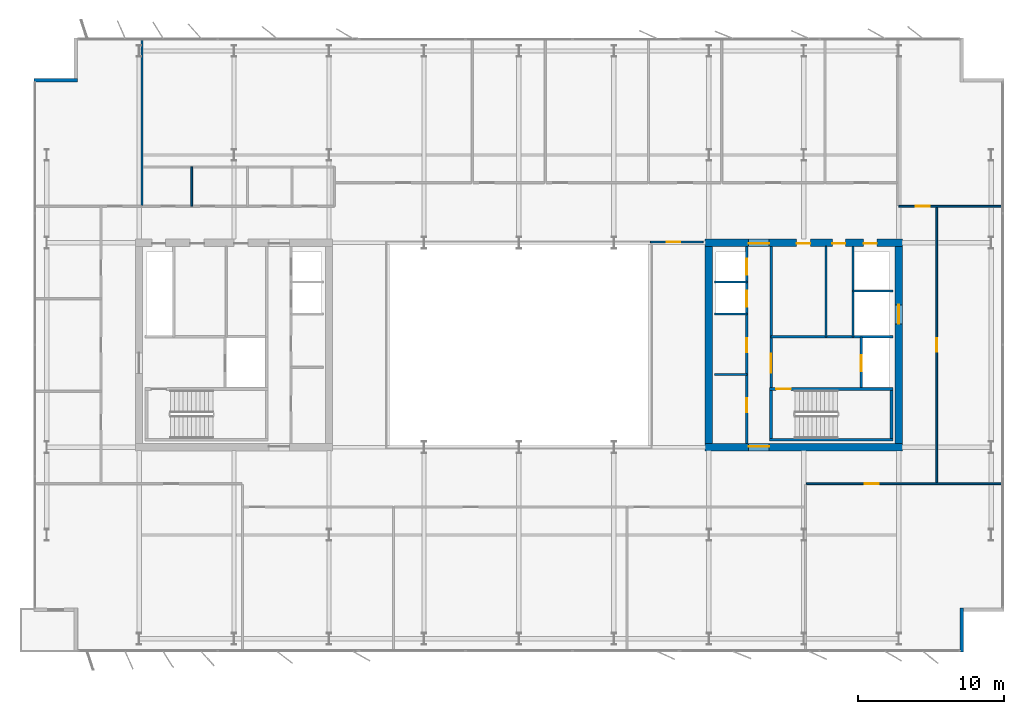
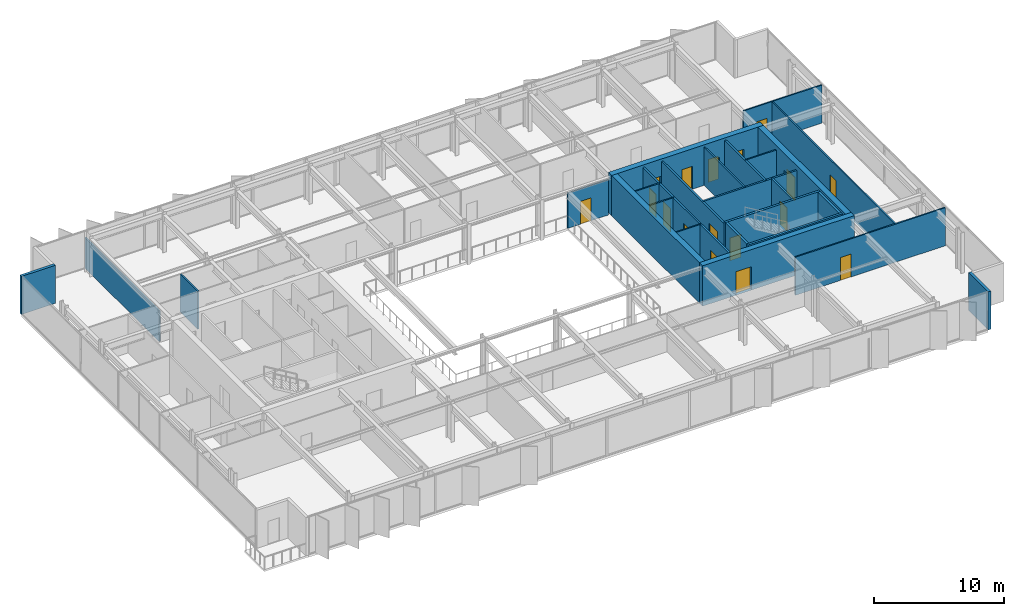
# One storey, part 18 of 23: 26 walls, 17 doors, 17 openings.
"""IFC4 building model written with IfcOpenShell, lengths in metres."""

from ifc_helpers import new_model, si_unit, direction, frame, frame_2d, origin, place, context, subcontext, project, spatial, rectangle, extrude, material, layer, layer_set, type_object, element, fill, save


model = new_model("IFC4")

# Units and contexts
model_context = context("Model", 3, precision=1e-05, world=origin(), true_north=direction((0.0, 1.0)))
body_context = subcontext(model_context, "Body", "Model", "MODEL_VIEW")
ifc_project = project(units=[si_unit("LENGTHUNIT", "METRE"), si_unit("AREAUNIT", "SQUARE_METRE"), si_unit("VOLUMEUNIT", "CUBIC_METRE"), si_unit("PLANEANGLEUNIT", "RADIAN"), si_unit("MASSUNIT", "GRAM", prefix="KILO")], contexts=[model_context])

# Site, building, storey
site_placement = place(None, origin())
site = spatial("IfcSite", under=ifc_project, at=site_placement, CompositionType="ELEMENT")
building_placement = place(site_placement, origin())
building = spatial("IfcBuilding", under=site, at=building_placement, Name="Putna Gate Headquarters", CompositionType="ELEMENT")
storey_placement = place(building_placement, frame((0.0, 0.0, 232.800048828125)))
storey = spatial("IfcBuildingStorey", under=building, at=storey_placement, Name="L58", CompositionType="ELEMENT", Elevation=232.800048828125)

# Wall, opening, door
ifc_material_1 = material(Name="Concrete C50/60", Category="concrete")
ifc_layer_1 = layer(ifc_material_1, 0.5)
ifc_layer_set_1 = layer_set([ifc_layer_1], Name="Concrete C50/60")
wall_type_1 = type_object("IfcWallType", Name="WALL-CORE-500", PredefinedType="SHEAR", material=ifc_layer_set_1)
wall_1_placement = place(storey_placement, frame((51.75, 19.0, 0.0), z_axis=(0.0, 0.0, 1.0), x_axis=(1.0, 0.0, 0.0)))
wall_1 = element("IfcWall", 1, at=wall_1_placement, inside=storey, type_object=wall_type_1, Name="L58 EC Split Core Shear Wall S", PredefinedType="SHEAR", context=body_context, shape_type="SweptSolid", body=[
    extrude(rectangle(XDim=13.5, YDim=0.5, at=frame_2d((6.75, 0.0))), origin(), (0.0, 0.0, 1.0), 3.800048828125),
])
opening_1_placement = place(wall_1_placement, frame((2.969970703125, 0.0, 0.0)))
opening_1 = element("IfcOpeningElement", 2, at=opening_1_placement, cuts=wall_1, Name="Opening FDD-140", PredefinedType="OPENING", context=body_context, shape_type="SweptSolid", body=[
    extrude(rectangle(XDim=1.39990234375, YDim=2.199951171875, at=frame_2d((0.699951171875, 1.10009765625))), frame((0.0, 0.260009765625, 0.0), z_axis=(0.0, -1.0, 0.0), x_axis=(1.0, 0.0, 0.0)), (0.0, 0.0, 1.0), 0.52001953125),
])
ifc_material_2 = material(Name="Double steel fire door", Category="steel")
door_type_1 = type_object("IfcDoorType", Name="DOOR-FIRE-DBL-1400", OperationType="DOUBLE_DOOR_SINGLE_SWING", PredefinedType="DOOR", material=ifc_material_2)
door_1_placement = place(opening_1_placement, origin())
door_1 = element("IfcDoor", 3, at=door_1_placement, inside=storey, type_object=door_type_1, Name="L58 East Lift Lobby South Door", OperationType="DOUBLE_DOOR_SINGLE_SWING", OverallHeight=2.199951171875, OverallWidth=1.39990234375, PredefinedType="DOOR", context=body_context, shape_type="SweptSolid", body=[
    extrude(rectangle(XDim=1.39990234375, YDim=2.199951171875, at=frame_2d((0.699951171875, 1.10009765625))), frame((0.0, 0.0751953125, 0.0), z_axis=(0.0, -1.0, 0.0), x_axis=(1.0, 0.0, 0.0)), (0.0, 0.0, 1.0), 0.050048828125),
])
fill(opening_1, door_1)

# Wall, openings, doors
wall_2_placement = place(storey_placement, frame((51.75, 33.0, 0.0), z_axis=(0.0, 0.0, 1.0), x_axis=(1.0, 0.0, 0.0)))
wall_2 = element("IfcWall", 4, at=wall_2_placement, inside=storey, type_object=wall_type_1, Name="L58 EC Split Core Shear Wall N", PredefinedType="SHEAR", context=body_context, shape_type="SweptSolid", body=[
    extrude(rectangle(XDim=13.5, YDim=0.5, at=frame_2d((6.75, 0.0))), origin(), (0.0, 0.0, 1.0), 3.800048828125),
])
opening_2_placement = place(wall_2_placement, frame((2.969970703125, 0.0, 0.0)))
opening_2 = element("IfcOpeningElement", 5, at=opening_2_placement, cuts=wall_2, Name="Opening FDD-140", PredefinedType="OPENING", context=body_context, shape_type="SweptSolid", body=[
    extrude(rectangle(XDim=1.39990234375, YDim=2.199951171875, at=frame_2d((0.699951171875, 1.10009765625))), frame((0.0, 0.260009765625, 0.0), z_axis=(0.0, -1.0, 0.0), x_axis=(1.0, 0.0, 0.0)), (0.0, 0.0, 1.0), 0.52001953125),
])
opening_3_placement = place(wall_2_placement, frame((10.85009765625, 0.0, 0.0)))
opening_3 = element("IfcOpeningElement", 6, at=opening_3_placement, cuts=wall_2, Name="Opening RD-90", PredefinedType="OPENING", context=body_context, shape_type="SweptSolid", body=[
    extrude(rectangle(XDim=0.89990234375, YDim=2.14990234375, at=frame_2d((0.449951171875, 1.074951171875))), frame((0.0, 0.260009765625, 0.0), z_axis=(0.0, -1.0, 0.0), x_axis=(1.0, 0.0, 0.0)), (0.0, 0.0, 1.0), 0.52001953125),
])
opening_4_placement = place(wall_2_placement, frame((6.25, 0.0, 0.0)))
opening_4 = element("IfcOpeningElement", 7, at=opening_4_placement, cuts=wall_2, Name="Opening IDS-95", PredefinedType="OPENING", context=body_context, shape_type="SweptSolid", body=[
    extrude(rectangle(XDim=0.949951171875, YDim=2.14990234375, at=frame_2d((0.47509765625, 1.074951171875))), frame((0.0, 0.260009765625, 0.0), z_axis=(0.0, -1.0, 0.0), x_axis=(1.0, 0.0, 0.0)), (0.0, 0.0, 1.0), 0.52001953125),
])
opening_5_placement = place(wall_2_placement, frame((8.699951171875, 0.0, 0.0)))
opening_5 = element("IfcOpeningElement", 8, at=opening_5_placement, cuts=wall_2, Name="Opening IDS-90", PredefinedType="OPENING", context=body_context, shape_type="SweptSolid", body=[
    extrude(rectangle(XDim=0.89990234375, YDim=2.14990234375, at=frame_2d((0.449951171875, 1.074951171875))), frame((0.0, 0.260009765625, 0.0), z_axis=(0.0, -1.0, 0.0), x_axis=(1.0, 0.0, 0.0)), (0.0, 0.0, 1.0), 0.52001953125),
])
door_2_placement = place(opening_2_placement, origin())
door_2 = element("IfcDoor", 9, at=door_2_placement, inside=storey, type_object=door_type_1, Name="L58 East Lift Lobby North Door", OperationType="DOUBLE_DOOR_SINGLE_SWING", OverallHeight=2.199951171875, OverallWidth=1.39990234375, PredefinedType="DOOR", context=body_context, shape_type="SweptSolid", body=[
    extrude(rectangle(XDim=1.39990234375, YDim=2.199951171875, at=frame_2d((0.699951171875, 1.10009765625))), frame((0.0, -0.02490234375, 0.0), z_axis=(0.0, -1.0, 0.0), x_axis=(1.0, 0.0, 0.0)), (0.0, 0.0, 1.0), 0.050048828125),
])
fill(opening_2, door_2)
ifc_material_3 = material(Name="Fire-rated utility door")
door_type_2 = type_object("IfcDoorType", Name="DOOR-INT-900", OperationType="NOTDEFINED", PredefinedType="DOOR", material=ifc_material_3)
door_3_placement = place(opening_5_placement, origin())
door_3 = element("IfcDoor", 10, at=door_3_placement, inside=storey, type_object=door_type_2, Name="L58 Electrical Plant Door", OperationType="SINGLE_SWING_LEFT", OverallHeight=2.14990234375, OverallWidth=0.89990234375, PredefinedType="DOOR", context=body_context, shape_type="SweptSolid", body=[
    extrude(rectangle(XDim=0.89990234375, YDim=2.14990234375, at=frame_2d((0.449951171875, 1.074951171875))), frame((0.0, -0.02490234375, 0.0), z_axis=(0.0, -1.0, 0.0), x_axis=(1.0, 0.0, 0.0)), (0.0, 0.0, 1.0), 0.050048828125),
])
fill(opening_5, door_3)
ifc_material_4 = material(Name="Fire-rated service timber door", Category="wood")
door_type_3 = type_object("IfcDoorType", Name="DOOR-INT-950", OperationType="NOTDEFINED", PredefinedType="DOOR", material=ifc_material_4)
door_4_placement = place(opening_4_placement, origin())
door_4 = element("IfcDoor", 11, at=door_4_placement, inside=storey, type_object=door_type_3, Name="L58 East Store Door", OperationType="SINGLE_SWING_RIGHT", OverallHeight=2.14990234375, OverallWidth=0.949951171875, PredefinedType="DOOR", context=body_context, shape_type="SweptSolid", body=[
    extrude(rectangle(XDim=0.949951171875, YDim=2.14990234375, at=frame_2d((0.47509765625, 1.074951171875))), frame((0.0, -0.02490234375, 0.0), z_axis=(0.0, -1.0, 0.0), x_axis=(1.0, 0.0, 0.0)), (0.0, 0.0, 1.0), 0.050048828125),
])
fill(opening_4, door_4)
ifc_material_5 = material(Name="Steel riser access fire door", Category="steel")
door_type_4 = type_object("IfcDoorType", Name="DOOR-RISER-900", OperationType="NOTDEFINED", PredefinedType="DOOR", material=ifc_material_5)
door_5_placement = place(opening_3_placement, origin())
door_5 = element("IfcDoor", 12, at=door_5_placement, inside=storey, type_object=door_type_4, Name="L58 East Riser Access Door", OperationType="SINGLE_SWING_LEFT", OverallHeight=2.14990234375, OverallWidth=0.89990234375, PredefinedType="DOOR", context=body_context, shape_type="SweptSolid", body=[
    extrude(rectangle(XDim=0.89990234375, YDim=2.14990234375, at=frame_2d((0.449951171875, 1.074951171875))), frame((0.0, -0.02490234375, 0.0), z_axis=(0.0, -1.0, 0.0), x_axis=(1.0, 0.0, 0.0)), (0.0, 0.0, 1.0), 0.050048828125),
])
fill(opening_3, door_5)

# Wall
wall_3_placement = place(storey_placement, frame((52.0, 19.25, 0.0), z_axis=(0.0, 0.0, 1.0), x_axis=(0.0, 1.0, 0.0)))
element("IfcWall", 13, at=wall_3_placement, inside=storey, type_object=wall_type_1, Name="L58 EC Split Core Shear Wall W", PredefinedType="SHEAR", context=body_context, shape_type="SweptSolid", body=[
    extrude(rectangle(XDim=13.5, YDim=0.5, at=frame_2d((6.75, 0.0))), origin(), (0.0, 0.0, 1.0), 3.800048828125),
])

# Wall, opening, door
wall_4_placement = place(storey_placement, frame((65.0, 19.25, 0.0), z_axis=(0.0, 0.0, 1.0), x_axis=(0.0, 1.0, 0.0)))
wall_4 = element("IfcWall", 14, at=wall_4_placement, inside=storey, type_object=wall_type_1, Name="L58 EC Split Core Shear Wall E", PredefinedType="SHEAR", context=body_context, shape_type="SweptSolid", body=[
    extrude(rectangle(XDim=13.5, YDim=0.5, at=frame_2d((6.75, 0.0))), origin(), (0.0, 0.0, 1.0), 3.800048828125),
])
opening_6_placement = place(wall_4_placement, frame((8.199951171875, 0.0, 0.0)))
opening_6 = element("IfcOpeningElement", 15, at=opening_6_placement, cuts=wall_4, Name="Opening LD-2", PredefinedType="OPENING", context=body_context, shape_type="SweptSolid", body=[
    extrude(rectangle(XDim=1.300048828125, YDim=2.199951171875, at=frame_2d((0.64990234375, 1.10009765625))), frame((0.0, 0.260009765625, 0.0), z_axis=(0.0, -1.0, 0.0), x_axis=(1.0, 0.0, 0.0)), (0.0, 0.0, 1.0), 0.52001953125),
])
ifc_material_6 = material(Name="Heavy-duty goods lift sliding landing door")
door_type_5 = type_object("IfcDoorType", Name="DOOR-LIFT-1300", OperationType="DOUBLE_DOOR_SLIDING", PredefinedType="DOOR", material=ifc_material_6)
door_6_placement = place(opening_6_placement, origin())
door_6 = element("IfcDoor", 16, at=door_6_placement, inside=storey, type_object=door_type_5, Name="L58 Goods Lift Landing Door LD-15", OperationType="DOUBLE_DOOR_SLIDING", OverallHeight=2.199951171875, OverallWidth=1.300048828125, PredefinedType="DOOR", context=body_context, shape_type="SweptSolid", body=[
    extrude(rectangle(XDim=1.300048828125, YDim=2.199951171875, at=frame_2d((0.64990234375, 1.10009765625))), frame((0.0, 0.02490234375, 0.0), z_axis=(0.0, -1.0, 0.0), x_axis=(1.0, 0.0, 0.0)), (0.0, 0.0, 1.0), 0.050048828125),
])
fill(opening_6, door_6)

# Walls
ifc_material_7 = material(Name="Precast concrete C40/50", Category="concrete")
ifc_layer_2 = layer(ifc_material_7, 0.239990234375)
ifc_layer_set_2 = layer_set([ifc_layer_2], Name="Precast concrete C40/50")
wall_type_2 = type_object("IfcWallType", Name="WALL-EXT-TERR-240", PredefinedType="STANDARD", material=ifc_layer_set_2)
for number, where, z_axis, x_axis, name in (
    (17, (5.800048828125, 44.1201171875, 0.0), (0.0, 0.0, 1.0), (1.0, 0.0, 0.0), "L58 Corner Notch Return Wall NW-H"),
    (18, (69.320068359375, 8.0, 0.0), (0.0, 0.0, 1.0), (0.0, -1.0, 0.0), "L58 Corner Notch Return Wall SE-V"),
):
    element("IfcWall", number, at=place(storey_placement, frame(where, z_axis=z_axis, x_axis=x_axis)), inside=storey, type_object=wall_type_2, Name=name, PredefinedType="STANDARD", context=body_context, shape_type="SweptSolid", body=[
        extrude(rectangle(XDim=3.0, YDim=0.239990234375, at=frame_2d((1.5, 0.0))), origin(), (0.0, 0.0, 1.0), 3.579833984375),
    ])

# Wall, opening, door
ifc_material_8 = material(Name="Acoustic gypsum board on metal stud")
ifc_layer_3 = layer(ifc_material_8, 0.1201171875)
ifc_layer_set_3 = layer_set([ifc_layer_3], Name="Acoustic gypsum board on metal stud")
wall_type_3 = type_object("IfcWallType", Name="WALL-PART-120", PredefinedType="PARTITIONING", material=ifc_layer_set_3)
wall_5_placement = place(storey_placement, frame((48.0, 33.0400390625, 0.0), z_axis=(0.0, 0.0, 1.0), x_axis=(1.0, 0.0, 0.0)))
wall_5 = element("IfcWall", 19, at=wall_5_placement, inside=storey, type_object=wall_type_3, Name="L58 Interior Wall PART-L58-ATR-E-N", PredefinedType="PARTITIONING", context=body_context, shape_type="SweptSolid", body=[
    extrude(rectangle(XDim=3.60009765625, YDim=0.1201171875, at=frame_2d((1.800048828125, 0.0))), origin(), (0.0, 0.0, 1.0), 3.320068359375),
])
opening_7_placement = place(wall_5_placement, frame((1.10009765625, 0.0, 0.0)))
opening_7 = element("IfcOpeningElement", 20, at=opening_7_placement, cuts=wall_5, Name="Opening ID-95", PredefinedType="OPENING", context=body_context, shape_type="SweptSolid", body=[
    extrude(rectangle(XDim=0.949951171875, YDim=2.14990234375, at=frame_2d((0.47509765625, 1.074951171875))), frame((0.0, 0.070068359375, 0.0), z_axis=(0.0, -1.0, 0.0), x_axis=(1.0, 0.0, 0.0)), (0.0, 0.0, 1.0), 0.14013671875),
])
ifc_material_9 = material(Name="Veneered acoustic timber door", Category="wood")
door_type_6 = type_object("IfcDoorType", Name="DOOR-OFF-950", OperationType="NOTDEFINED", PredefinedType="DOOR", material=ifc_material_9)
door_7_placement = place(opening_7_placement, origin())
door_7 = element("IfcDoor", 21, at=door_7_placement, inside=storey, type_object=door_type_6, Name="L58 East Sky Atrium Lounge Door", OperationType="SINGLE_SWING_LEFT", OverallHeight=2.14990234375, OverallWidth=0.949951171875, PredefinedType="DOOR", context=body_context, shape_type="SweptSolid", body=[
    extrude(rectangle(XDim=0.949951171875, YDim=2.14990234375, at=frame_2d((0.47509765625, 1.074951171875))), frame((0.0, 0.02490234375, 0.0), z_axis=(0.0, -1.0, 0.0), x_axis=(1.0, 0.0, 0.0)), (0.0, 0.0, 1.0), 0.050048828125),
])
fill(opening_7, door_7)

# Walls
wall_6_placement = place(storey_placement, frame((13.199951171875, 35.56005859375, 0.0), z_axis=(0.0, 0.0, 1.0), x_axis=(0.0, 1.0, 0.0)))
element("IfcWall", 22, at=wall_6_placement, inside=storey, type_object=wall_type_3, Name="L58 Interior Wall PART-L58-NB-DIV-01", PredefinedType="PARTITIONING", context=body_context, shape_type="SweptSolid", body=[
    extrude(rectangle(XDim=11.419921875, YDim=0.1201171875, at=frame_2d((5.7099609375, 0.0))), origin(), (0.0, 0.0, 1.0), 2.8798828125),
])
ifc_material_10 = material(Name="Fire-rated shaftwall gypsum board on metal stud")
ifc_layer_4 = layer(ifc_material_10, 0.1201171875)
ifc_layer_set_4 = layer_set([ifc_layer_4], Name="Fire-rated shaftwall gypsum board on metal stud")
wall_type_4 = type_object("IfcWallType", Name="WALL-PART-120-EI120", PredefinedType="PARTITIONING", material=ifc_layer_set_4)
wall_7_placement = place(storey_placement, frame((52.39990234375, 30.31005859375, 0.0), z_axis=(0.0, 0.0, 1.0), x_axis=(1.0, 0.0, 0.0)))
element("IfcWall", 23, at=wall_7_placement, inside=storey, type_object=wall_type_4, Name="L58 Interior Wall CWINT-L58-EC-LF11-DIV", PredefinedType="PARTITIONING", context=body_context, shape_type="SweptSolid", body=[
    extrude(rectangle(XDim=2.2001953125, YDim=0.1201171875, at=frame_2d((1.10009765625, 0.0))), origin(), (0.0, 0.0, 1.0), 3.579833984375),
])
wall_8_placement = place(storey_placement, frame((61.8701171875, 29.699951171875, 0.0), z_axis=(0.0, 0.0, 1.0), x_axis=(1.0, 0.0, 0.0)))
element("IfcWall", 24, at=wall_8_placement, inside=storey, type_object=wall_type_4, Name="L58 Interior Wall CWINT-L58-EC-LF15-N", PredefinedType="PARTITIONING", context=body_context, shape_type="SweptSolid", body=[
    extrude(rectangle(XDim=2.72998046875, YDim=0.1201171875, at=frame_2d((1.364990234375, 0.0))), origin(), (0.0, 0.0, 1.0), 3.579833984375),
])
ifc_material_11 = material(Name="Fire-rated gypsum board on metal stud")
ifc_layer_5 = layer(ifc_material_11, 0.1201171875)
ifc_layer_set_5 = layer_set([ifc_layer_5], Name="Fire-rated gypsum board on metal stud")
wall_type_5 = type_object("IfcWallType", Name="WALL-PART-120-RATED", PredefinedType="PARTITIONING", material=ifc_layer_set_5)
for number, where, z_axis, x_axis, name in (
    (25, (52.39990234375, 23.969970703125, 0.0), (0.0, 0.0, 1.0), (1.0, 0.0, 0.0), "L58 Interior Wall CWINT-L58-EC-REUSE-DIV"),
    (26, (52.39990234375, 28.1201171875, 0.0), (0.0, 0.0, 1.0), (1.0, 0.0, 0.0), "L58 Interior Wall CWINT-L58-EC-LF08-DIV"),
):
    element("IfcWall", number, at=place(storey_placement, frame(where, z_axis=z_axis, x_axis=x_axis)), inside=storey, type_object=wall_type_5, Name=name, PredefinedType="PARTITIONING", context=body_context, shape_type="SweptSolid", body=[
        extrude(rectangle(XDim=2.2001953125, YDim=0.1201171875, at=frame_2d((1.10009765625, 0.0))), origin(), (0.0, 0.0, 1.0), 3.579833984375),
    ])
wall_9_placement = place(storey_placement, frame((60.02001953125, 26.56005859375, 0.0), z_axis=(0.0, 0.0, 1.0), x_axis=(0.0, 1.0, 0.0)))
element("IfcWall", 27, at=wall_9_placement, inside=storey, type_object=wall_type_5, Name="L58 Interior Wall CWINT-L58-EC-K0-DIV", PredefinedType="PARTITIONING", context=body_context, shape_type="SweptSolid", body=[
    extrude(rectangle(XDim=6.18994140625, YDim=0.1201171875, at=frame_2d((3.094970703125, 0.0))), origin(), (0.0, 0.0, 1.0), 3.579833984375),
])
wall_10_placement = place(storey_placement, frame((16.60009765625, 35.5, 0.0), z_axis=(0.0, 0.0, 1.0), x_axis=(0.0, 1.0, 0.0)))
element("IfcWall", 28, at=wall_10_placement, inside=storey, type_object=wall_type_5, Name="L58 Interior Wall PART-L58-SAN-DIV-1", PredefinedType="PARTITIONING", context=body_context, shape_type="SweptSolid", body=[
    extrude(rectangle(XDim=2.679931640625, YDim=0.1201171875, at=frame_2d((1.33984375, 0.0))), origin(), (0.0, 0.0, 1.0), 3.579833984375),
])

# Wall, opening, door
wall_11_placement = place(storey_placement, frame((65.0126953125, 35.5, 0.0), z_axis=(0.0, 0.0, 1.0), x_axis=(1.0, 0.0, 0.0)))
wall_11 = element("IfcWall", 29, at=wall_11_placement, inside=storey, type_object=wall_type_5, Name="L58 Interior Wall PART-L58-NB-CW-08", PredefinedType="PARTITIONING", context=body_context, shape_type="SweptSolid", body=[
    extrude(rectangle(XDim=7.00732421875, YDim=0.1201171875, at=frame_2d((3.503662109375, 0.0))), origin(), (0.0, 0.0, 1.0), 3.579833984375),
])
opening_8_placement = place(wall_11_placement, frame((1.1572265625, 0.0, 0.0)))
opening_8 = element("IfcOpeningElement", 30, at=opening_8_placement, cuts=wall_11, Name="Opening FD-95", PredefinedType="OPENING", context=body_context, shape_type="SweptSolid", body=[
    extrude(rectangle(XDim=0.949951171875, YDim=2.14990234375, at=frame_2d((0.47509765625, 1.074951171875))), frame((0.0, 0.070068359375, 0.0), z_axis=(0.0, -1.0, 0.0), x_axis=(1.0, 0.0, 0.0)), (0.0, 0.0, 1.0), 0.14013671875),
])
ifc_material_12 = material(Name="Acoustic timber fire door", Category="wood")
door_type_7 = type_object("IfcDoorType", Name="DOOR-FIRE-950", OperationType="NOTDEFINED", PredefinedType="DOOR", material=ifc_material_12)
door_8_placement = place(opening_8_placement, origin())
door_8 = element("IfcDoor", 31, at=door_8_placement, inside=storey, type_object=door_type_7, Name="L58 Cellular Office 5 Door", OperationType="SINGLE_SWING_LEFT", OverallHeight=2.14990234375, OverallWidth=0.949951171875, PredefinedType="DOOR", context=body_context, shape_type="SweptSolid", body=[
    extrude(rectangle(XDim=0.949951171875, YDim=2.14990234375, at=frame_2d((0.47509765625, 1.074951171875))), frame((0.0, 0.02490234375, 0.0), z_axis=(0.0, -1.0, 0.0), x_axis=(1.0, 0.0, 0.0)), (0.0, 0.0, 1.0), 0.050048828125),
])
fill(opening_8, door_8)

wall_12_placement = place(storey_placement, frame((58.673828125, 16.5, 0.0), z_axis=(0.0, 0.0, 1.0), x_axis=(1.0, 0.0, 0.0)))
wall_12 = element("IfcWall", 32, at=wall_12_placement, inside=storey, type_object=wall_type_5, Name="L58 Interior Wall PART-L58-SB-CW-05", PredefinedType="PARTITIONING", context=body_context, shape_type="SweptSolid", body=[
    extrude(rectangle(XDim=13.34619140625, YDim=0.1201171875, at=frame_2d((6.673095703125, 0.0))), origin(), (0.0, 0.0, 1.0), 3.579833984375),
])
opening_9_placement = place(wall_12_placement, frame((3.988037109375, 0.0, 0.0)))
opening_9 = element("IfcOpeningElement", 33, at=opening_9_placement, cuts=wall_12, Name="Opening FD-95", PredefinedType="OPENING", context=body_context, shape_type="SweptSolid", body=[
    extrude(rectangle(XDim=0.949951171875, YDim=2.14990234375, at=frame_2d((0.47509765625, 1.074951171875))), frame((0.0, 0.070068359375, 0.0), z_axis=(0.0, -1.0, 0.0), x_axis=(1.0, 0.0, 0.0)), (0.0, 0.0, 1.0), 0.14013671875),
])
door_9_placement = place(opening_9_placement, origin())
door_9 = element("IfcDoor", 34, at=door_9_placement, inside=storey, type_object=door_type_7, Name="L58 Conference Meeting Room 2 Door", OperationType="SINGLE_SWING_RIGHT", OverallHeight=2.14990234375, OverallWidth=0.949951171875, PredefinedType="DOOR", context=body_context, shape_type="SweptSolid", body=[
    extrude(rectangle(XDim=0.949951171875, YDim=2.14990234375, at=frame_2d((0.47509765625, 1.074951171875))), frame((0.0, 0.02490234375, 0.0), z_axis=(0.0, -1.0, 0.0), x_axis=(1.0, 0.0, 0.0)), (0.0, 0.0, 1.0), 0.050048828125),
])
fill(opening_9, door_9)

wall_13_placement = place(storey_placement, frame((67.60009765625, 16.5, 0.0), z_axis=(0.0, 0.0, 1.0), x_axis=(0.0, 1.0, 0.0)))
wall_13 = element("IfcWall", 35, at=wall_13_placement, inside=storey, type_object=wall_type_5, Name="L58 Interior Wall PART-L58-EW-CW-1", PredefinedType="PARTITIONING", context=body_context, shape_type="SweptSolid", body=[
    extrude(rectangle(XDim=19.0, YDim=0.1201171875, at=frame_2d((9.5, 0.0))), origin(), (0.0, 0.0, 1.0), 3.579833984375),
])
opening_10_placement = place(wall_13_placement, frame((9.02490234375, 0.0, 0.0)))
opening_10 = element("IfcOpeningElement", 36, at=opening_10_placement, cuts=wall_13, Name="Opening FD-95", PredefinedType="OPENING", context=body_context, shape_type="SweptSolid", body=[
    extrude(rectangle(XDim=0.949951171875, YDim=2.14990234375, at=frame_2d((0.47509765625, 1.074951171875))), frame((0.0, 0.070068359375, 0.0), z_axis=(0.0, -1.0, 0.0), x_axis=(1.0, 0.0, 0.0)), (0.0, 0.0, 1.0), 0.14013671875),
])
door_10_placement = place(opening_10_placement, origin())
door_10 = element("IfcDoor", 37, at=door_10_placement, inside=storey, type_object=door_type_7, Name="L58 East Advisory Office 1 Door", OperationType="SINGLE_SWING_RIGHT", OverallHeight=2.14990234375, OverallWidth=0.949951171875, PredefinedType="DOOR", context=body_context, shape_type="SweptSolid", body=[
    extrude(rectangle(XDim=0.949951171875, YDim=2.14990234375, at=frame_2d((0.47509765625, 1.074951171875))), frame((0.0, 0.02490234375, 0.0), z_axis=(0.0, -1.0, 0.0), x_axis=(1.0, 0.0, 0.0)), (0.0, 0.0, 1.0), 0.050048828125),
])
fill(opening_10, door_10)

# Wall, openings, doors
ifc_material_13 = material(Name="Concrete C40/50", Category="concrete")
ifc_layer_6 = layer(ifc_material_13, 0.159912109375)
ifc_layer_set_6 = layer_set([ifc_layer_6], Name="Concrete C40/50")
wall_type_6 = type_object("IfcWallType", Name="WALL-SHAFT-160", PredefinedType="STANDARD", material=ifc_layer_set_6)
wall_14_placement = place(storey_placement, frame((54.60009765625, 19.25, 0.0), z_axis=(0.0, 0.0, 1.0), x_axis=(0.0, 1.0, 0.0)))
wall_14 = element("IfcWall", 38, at=wall_14_placement, inside=storey, type_object=wall_type_6, Name="L58 Interior Wall CWINT-L58-EC-PL-WALL", PredefinedType="STANDARD", context=body_context, shape_type="SweptSolid", body=[
    extrude(rectangle(XDim=13.5, YDim=0.159912109375, at=frame_2d((6.75, 0.0))), origin(), (0.0, 0.0, 1.0), 3.579833984375),
])
opening_11_placement = place(wall_14_placement, frame((2.14990234375, 0.0, 0.0)))
opening_11 = element("IfcOpeningElement", 39, at=opening_11_placement, cuts=wall_14, Name="Opening IDS-95", PredefinedType="OPENING", context=body_context, shape_type="SweptSolid", body=[
    extrude(rectangle(XDim=0.949951171875, YDim=2.14990234375, at=frame_2d((0.47509765625, 1.074951171875))), frame((0.0, 0.08984375, 0.0), z_axis=(0.0, -1.0, 0.0), x_axis=(1.0, 0.0, 0.0)), (0.0, 0.0, 1.0), 0.179931640625),
])
opening_12_placement = place(wall_14_placement, frame((6.25, 0.0, 0.0)))
opening_12 = element("IfcOpeningElement", 40, at=opening_12_placement, cuts=wall_14, Name="Opening IDS-95", PredefinedType="OPENING", context=body_context, shape_type="SweptSolid", body=[
    extrude(rectangle(XDim=0.949951171875, YDim=2.14990234375, at=frame_2d((0.47509765625, 1.074951171875))), frame((0.0, 0.08984375, 0.0), z_axis=(0.0, -1.0, 0.0), x_axis=(1.0, 0.0, 0.0)), (0.0, 0.0, 1.0), 0.179931640625),
])
opening_13_placement = place(wall_14_placement, frame((9.35009765625, 0.0, 0.0)))
opening_13 = element("IfcOpeningElement", 41, at=opening_13_placement, cuts=wall_14, Name="Opening LD-1", PredefinedType="OPENING", context=body_context, shape_type="SweptSolid", body=[
    extrude(rectangle(XDim=1.10009765625, YDim=2.199951171875, at=frame_2d((0.550048828125, 1.10009765625))), frame((0.0, 0.08984375, 0.0), z_axis=(0.0, -1.0, 0.0), x_axis=(1.0, 0.0, 0.0)), (0.0, 0.0, 1.0), 0.179931640625),
])
opening_14_placement = place(wall_14_placement, frame((11.550048828125, 0.0, 0.0)))
opening_14 = element("IfcOpeningElement", 42, at=opening_14_placement, cuts=wall_14, Name="Opening LD-1", PredefinedType="OPENING", context=body_context, shape_type="SweptSolid", body=[
    extrude(rectangle(XDim=1.10009765625, YDim=2.199951171875, at=frame_2d((0.550048828125, 1.10009765625))), frame((0.0, 0.08984375, 0.0), z_axis=(0.0, -1.0, 0.0), x_axis=(1.0, 0.0, 0.0)), (0.0, 0.0, 1.0), 0.179931640625),
])
door_11_placement = place(opening_11_placement, origin())
door_11 = element("IfcDoor", 43, at=door_11_placement, inside=storey, type_object=door_type_3, Name="L58 Executive Archive Door", OperationType="SINGLE_SWING_RIGHT", OverallHeight=2.14990234375, OverallWidth=0.949951171875, PredefinedType="DOOR", context=body_context, shape_type="SweptSolid", body=[
    extrude(rectangle(XDim=0.949951171875, YDim=2.14990234375, at=frame_2d((0.47509765625, 1.074951171875))), frame((0.0, 0.02490234375, 0.0), z_axis=(0.0, -1.0, 0.0), x_axis=(1.0, 0.0, 0.0)), (0.0, 0.0, 1.0), 0.050048828125),
])
fill(opening_11, door_11)
door_12_placement = place(opening_12_placement, origin())
door_12 = element("IfcDoor", 44, at=door_12_placement, inside=storey, type_object=door_type_3, Name="L58 Comms Distribution Door", OperationType="SINGLE_SWING_LEFT", OverallHeight=2.14990234375, OverallWidth=0.949951171875, PredefinedType="DOOR", context=body_context, shape_type="SweptSolid", body=[
    extrude(rectangle(XDim=0.949951171875, YDim=2.14990234375, at=frame_2d((0.47509765625, 1.074951171875))), frame((0.0, 0.02490234375, 0.0), z_axis=(0.0, -1.0, 0.0), x_axis=(1.0, 0.0, 0.0)), (0.0, 0.0, 1.0), 0.050048828125),
])
fill(opening_12, door_12)
ifc_material_14 = material(Name="Brushed bronze stainless lift landing door")
door_type_8 = type_object("IfcDoorType", Name="DOOR-LIFT-1100", OperationType="DOUBLE_DOOR_SLIDING", PredefinedType="DOOR", material=ifc_material_14)
door_13_placement = place(opening_13_placement, origin())
door_13 = element("IfcDoor", 45, at=door_13_placement, inside=storey, type_object=door_type_8, Name="L58 Lift Landing Door LD-11", OperationType="DOUBLE_DOOR_SLIDING", OverallHeight=2.199951171875, OverallWidth=1.10009765625, PredefinedType="DOOR", context=body_context, shape_type="SweptSolid", body=[
    extrude(rectangle(XDim=1.10009765625, YDim=2.199951171875, at=frame_2d((0.550048828125, 1.10009765625))), frame((0.0, 0.02490234375, 0.0), z_axis=(0.0, -1.0, 0.0), x_axis=(1.0, 0.0, 0.0)), (0.0, 0.0, 1.0), 0.050048828125),
])
fill(opening_13, door_13)
door_14_placement = place(opening_14_placement, origin())
door_14 = element("IfcDoor", 46, at=door_14_placement, inside=storey, type_object=door_type_8, Name="L58 Lift Landing Door LD-12", OperationType="DOUBLE_DOOR_SLIDING", OverallHeight=2.199951171875, OverallWidth=1.10009765625, PredefinedType="DOOR", context=body_context, shape_type="SweptSolid", body=[
    extrude(rectangle(XDim=1.10009765625, YDim=2.199951171875, at=frame_2d((0.550048828125, 1.10009765625))), frame((0.0, 0.02490234375, 0.0), z_axis=(0.0, -1.0, 0.0), x_axis=(1.0, 0.0, 0.0)), (0.0, 0.0, 1.0), 0.050048828125),
])
fill(opening_14, door_14)

# Wall, opening, door
wall_15_placement = place(storey_placement, frame((56.260009765625, 23.090087890625, 0.0), z_axis=(0.0, 0.0, 1.0), x_axis=(0.0, 1.0, 0.0)))
wall_15 = element("IfcWall", 47, at=wall_15_placement, inside=storey, type_object=wall_type_6, Name="L58 Interior Wall CWINT-L58-EC-LOB-E", PredefinedType="STANDARD", context=body_context, shape_type="SweptSolid", body=[
    extrude(rectangle(XDim=9.659912109375, YDim=0.159912109375, at=frame_2d((4.830078125, 0.0))), origin(), (0.0, 0.0, 1.0), 3.579833984375),
])
opening_15_placement = place(wall_15_placement, frame((1.010009765625, 0.0, 0.0)))
opening_15 = element("IfcOpeningElement", 48, at=opening_15_placement, cuts=wall_15, Name="Opening FDD-130", PredefinedType="OPENING", context=body_context, shape_type="SweptSolid", body=[
    extrude(rectangle(XDim=1.300048828125, YDim=2.199951171875, at=frame_2d((0.64990234375, 1.10009765625))), frame((0.0, 0.08984375, 0.0), z_axis=(0.0, -1.0, 0.0), x_axis=(1.0, 0.0, 0.0)), (0.0, 0.0, 1.0), 0.179931640625),
])
ifc_material_15 = material(Name="Double steel lobby fire door", Category="steel")
door_type_9 = type_object("IfcDoorType", Name="DOOR-FIRE-DBL-1300", OperationType="DOUBLE_DOOR_SINGLE_SWING", PredefinedType="DOOR", material=ifc_material_15)
door_15_placement = place(opening_15_placement, origin())
door_15 = element("IfcDoor", 49, at=door_15_placement, inside=storey, type_object=door_type_9, Name="L58 East Firefighting Lobby Door", OperationType="DOUBLE_DOOR_SINGLE_SWING", OverallHeight=2.199951171875, OverallWidth=1.300048828125, PredefinedType="DOOR", context=body_context, shape_type="SweptSolid", body=[
    extrude(rectangle(XDim=1.300048828125, YDim=2.199951171875, at=frame_2d((0.64990234375, 1.10009765625))), frame((0.0, 0.02490234375, 0.0), z_axis=(0.0, -1.0, 0.0), x_axis=(1.0, 0.0, 0.0)), (0.0, 0.0, 1.0), 0.050048828125),
])
fill(opening_15, door_15)

wall_16_placement = place(storey_placement, frame((62.429931640625, 23.090087890625, 0.0), z_axis=(0.0, 0.0, 1.0), x_axis=(0.0, 1.0, 0.0)))
wall_16 = element("IfcWall", 50, at=wall_16_placement, inside=storey, type_object=wall_type_6, Name="L58 Interior Wall CWINT-L58-EC-LF14-W", PredefinedType="STANDARD", context=body_context, shape_type="SweptSolid", body=[
    extrude(rectangle(XDim=3.469970703125, YDim=0.159912109375, at=frame_2d((1.73486328125, 0.0))), origin(), (0.0, 0.0, 1.0), 3.579833984375),
])
opening_16_placement = place(wall_16_placement, frame((1.10009765625, 0.0, 0.0)))
opening_16 = element("IfcOpeningElement", 51, at=opening_16_placement, cuts=wall_16, Name="Opening LD-1", PredefinedType="OPENING", context=body_context, shape_type="SweptSolid", body=[
    extrude(rectangle(XDim=1.10009765625, YDim=2.199951171875, at=frame_2d((0.550048828125, 1.10009765625))), frame((0.0, 0.08984375, 0.0), z_axis=(0.0, -1.0, 0.0), x_axis=(1.0, 0.0, 0.0)), (0.0, 0.0, 1.0), 0.179931640625),
])
door_16_placement = place(opening_16_placement, origin())
door_16 = element("IfcDoor", 52, at=door_16_placement, inside=storey, type_object=door_type_8, Name="L58 Lift Landing Door LD-14", OperationType="DOUBLE_DOOR_SLIDING", OverallHeight=2.199951171875, OverallWidth=1.10009765625, PredefinedType="DOOR", context=body_context, shape_type="SweptSolid", body=[
    extrude(rectangle(XDim=1.10009765625, YDim=2.199951171875, at=frame_2d((0.550048828125, 1.10009765625))), frame((0.0, 0.02490234375, 0.0), z_axis=(0.0, -1.0, 0.0), x_axis=(1.0, 0.0, 0.0)), (0.0, 0.0, 1.0), 0.050048828125),
])
fill(opening_16, door_16)

# Walls
wall_17_placement = place(storey_placement, frame((56.260009765625, 26.56005859375, 0.0), z_axis=(0.0, 0.0, 1.0), x_axis=(1.0, 0.0, 0.0)))
element("IfcWall", 53, at=wall_17_placement, inside=storey, type_object=wall_type_6, Name="L58 Interior Wall CWINT-L58-EC-FFL-N", PredefinedType="STANDARD", context=body_context, shape_type="SweptSolid", body=[
    extrude(rectangle(XDim=8.340087890625, YDim=0.159912109375, at=frame_2d((4.169921875, 0.0))), origin(), (0.0, 0.0, 1.0), 3.579833984375),
])
wall_18_placement = place(storey_placement, frame((61.8701171875, 26.56005859375, 0.0), z_axis=(0.0, 0.0, 1.0), x_axis=(0.0, 1.0, 0.0)))
element("IfcWall", 54, at=wall_18_placement, inside=storey, type_object=wall_type_6, Name="L58 Interior Wall CWINT-L58-EC-LF15-W", PredefinedType="STANDARD", context=body_context, shape_type="SweptSolid", body=[
    extrude(rectangle(XDim=6.18994140625, YDim=0.159912109375, at=frame_2d((3.094970703125, 0.0))), origin(), (0.0, 0.0, 1.0), 3.579833984375),
])
ifc_layer_7 = layer(ifc_material_13, 0.199951171875)
ifc_layer_set_7 = layer_set([ifc_layer_7], Name="Concrete C40/50")
wall_type_7 = type_object("IfcWallType", Name="WALL-SHAFT-RC200", PredefinedType="SHEAR", material=ifc_layer_set_7)
wall_19_placement = place(storey_placement, frame((56.159912109375, 19.510009765625, 0.0), z_axis=(0.0, 0.0, 1.0), x_axis=(1.0, 0.0, 0.0)))
element("IfcWall", 55, at=wall_19_placement, inside=storey, type_object=wall_type_7, Name="L58 Stair ST2 Structural Shaft Wall S", PredefinedType="SHEAR", context=body_context, shape_type="SweptSolid", body=[
    extrude(rectangle(XDim=8.43017578125, YDim=0.199951171875, at=frame_2d((4.215087890625, 0.0))), origin(), (0.0, 0.0, 1.0), 3.800048828125),
])

# Wall, opening, door
wall_20_placement = place(storey_placement, frame((56.159912109375, 22.989990234375, 0.0), z_axis=(0.0, 0.0, 1.0), x_axis=(1.0, 0.0, 0.0)))
wall_20 = element("IfcWall", 56, at=wall_20_placement, inside=storey, type_object=wall_type_7, Name="L58 Stair ST2 Structural Shaft Wall N", PredefinedType="SHEAR", context=body_context, shape_type="SweptSolid", body=[
    extrude(rectangle(XDim=8.43017578125, YDim=0.199951171875, at=frame_2d((4.215087890625, 0.0))), origin(), (0.0, 0.0, 1.0), 3.800048828125),
])
opening_17_placement = place(wall_20_placement, frame((0.449951171875, 0.0, 0.0)))
opening_17 = element("IfcOpeningElement", 57, at=opening_17_placement, cuts=wall_20, Name="Opening FD-100", PredefinedType="OPENING", context=body_context, shape_type="SweptSolid", body=[
    extrude(rectangle(XDim=1.0, YDim=2.14990234375, at=frame_2d((0.5, 1.074951171875))), frame((0.0, 0.10986328125, 0.0), z_axis=(0.0, -1.0, 0.0), x_axis=(1.0, 0.0, 0.0)), (0.0, 0.0, 1.0), 0.219970703125),
])
ifc_material_16 = material(Name="Powder-coated steel fire door", Category="steel")
door_type_10 = type_object("IfcDoorType", Name="DOOR-FIRE-1000", OperationType="NOTDEFINED", PredefinedType="DOOR", material=ifc_material_16)
door_17_placement = place(opening_17_placement, origin())
door_17 = element("IfcDoor", 58, at=door_17_placement, inside=storey, type_object=door_type_10, Name="L58 Stair ST2 Fire Door", OperationType="SINGLE_SWING_RIGHT", OverallHeight=2.14990234375, OverallWidth=1.0, PredefinedType="DOOR", context=body_context, shape_type="SweptSolid", body=[
    extrude(rectangle(XDim=1.0, YDim=2.14990234375, at=frame_2d((0.5, 1.074951171875))), frame((0.0, 0.02490234375, 0.0), z_axis=(0.0, -1.0, 0.0), x_axis=(1.0, 0.0, 0.0)), (0.0, 0.0, 1.0), 0.050048828125),
])
fill(opening_17, door_17)

# Walls
for number, where, z_axis, x_axis, name in (
    (59, (56.260009765625, 19.610107421875, 0.0), (0.0, 0.0, 1.0), (0.0, 1.0, 0.0), "L58 Stair ST2 Structural Shaft Wall W"),
    (60, (64.489990234375, 19.610107421875, 0.0), (0.0, 0.0, 1.0), (0.0, 1.0, 0.0), "L58 Stair ST2 Structural Shaft Wall E"),
):
    element("IfcWall", number, at=place(storey_placement, frame(where, z_axis=z_axis, x_axis=x_axis)), inside=storey, type_object=wall_type_7, Name=name, PredefinedType="SHEAR", context=body_context, shape_type="SweptSolid", body=[
        extrude(rectangle(XDim=3.27978515625, YDim=0.199951171875, at=frame_2d((1.639892578125, 0.0))), origin(), (0.0, 0.0, 1.0), 3.800048828125),
    ])

save(model, "model.ifc")
